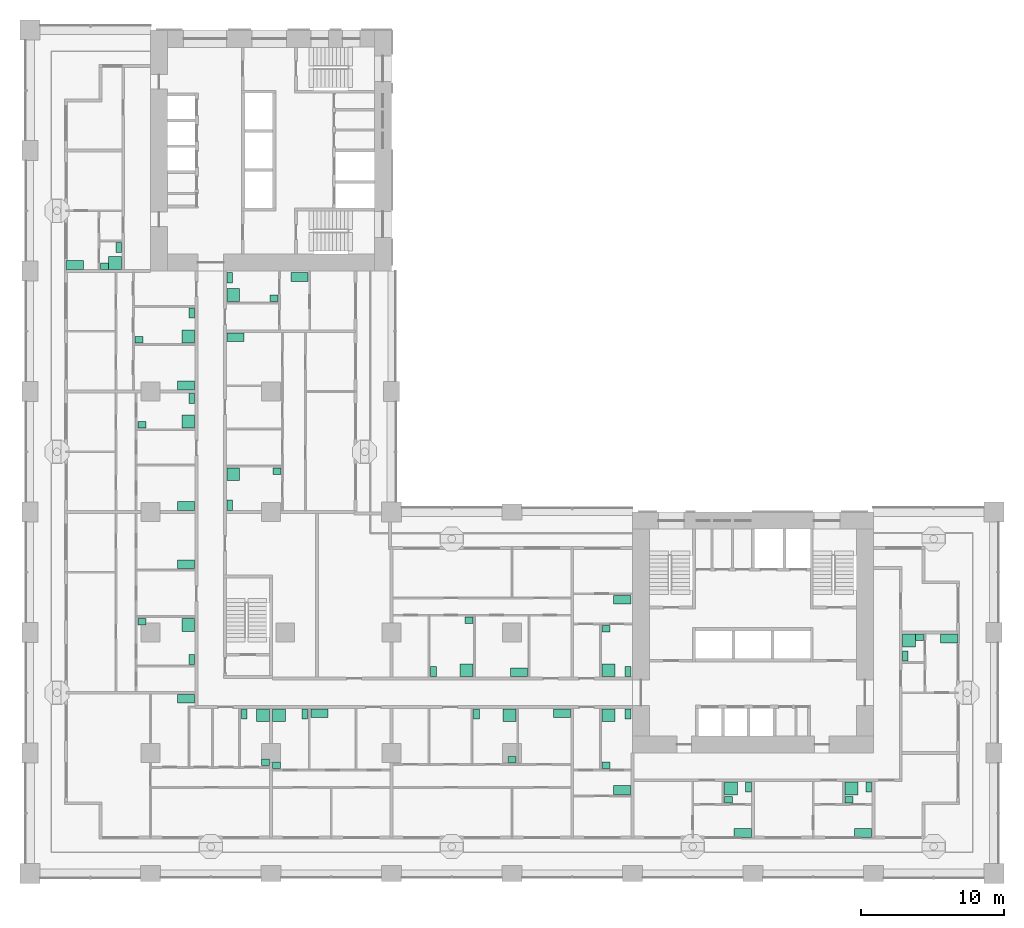
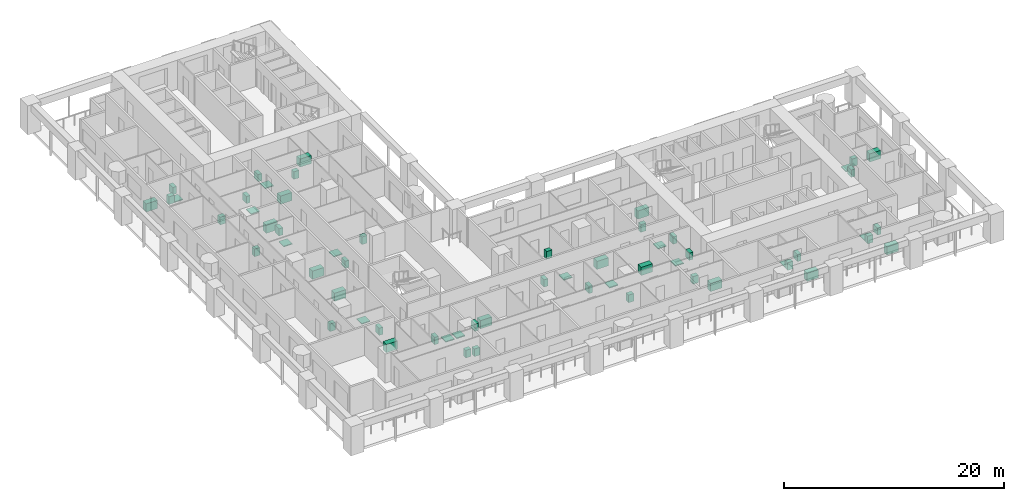
# One storey, part 20 of 22: 60 sanitary terminals.
"""IFC4 building model written with IfcOpenShell, lengths in metres."""

from ifc_helpers import new_model, si_unit, direction, frame, origin, origin_2d, place, context, subcontext, project, spatial, rectangle, extrude, material, element, save


model = new_model("IFC4")

# Units and contexts
model_context = context("Model", 3, precision=1e-05, world=origin(), true_north=direction((0.0, 1.0)))
body_context = subcontext(model_context, "Body", "Model", "MODEL_VIEW")
ifc_project = project(units=[si_unit("LENGTHUNIT", "METRE"), si_unit("AREAUNIT", "SQUARE_METRE"), si_unit("VOLUMEUNIT", "CUBIC_METRE"), si_unit("PLANEANGLEUNIT", "RADIAN"), si_unit("MASSUNIT", "GRAM", prefix="KILO")], contexts=[model_context])

# Site, building, storey
site_placement = place(None, origin())
site = spatial("IfcSite", under=ifc_project, at=site_placement, CompositionType="ELEMENT")
building_placement = place(site_placement, origin())
building = spatial("IfcBuilding", under=site, at=building_placement, Name="Vermilion Gate Residences", CompositionType="ELEMENT")
storey_placement = place(building_placement, frame((0.0, 0.0, 63.699951171875)))
storey = spatial("IfcBuildingStorey", under=building, at=storey_placement, Name="L15", CompositionType="ELEMENT", Elevation=63.699951171875)

# Sanitary terminals
ifc_material_1 = material(Name="Stainless steel", Category="steel")
sanitary_terminal_1_placement = place(storey_placement, frame((10.8798828125, 12.179931640625, 0.0), z_axis=(0.0, 0.0, 1.0), x_axis=(1.0, 0.0, 0.0)))
element("IfcSanitaryTerminal", 1, at=sanitary_terminal_1_placement, inside=storey, material=ifc_material_1, Name="Kitchen sink", PredefinedType="SINK", context=body_context, shape_type="SweptSolid", body=[
    extrude(rectangle(XDim=1.199951171875, YDim=0.60009765625, at=origin_2d()), origin(), (0.0, 0.0, 1.0), 0.89990234375),
])
ifc_material_2 = material(Name="Vitreous china")
sanitary_terminal_2_placement = place(storey_placement, frame((16.22998046875, 11.030029296875, 0.0), z_axis=(0.0, 0.0, 1.0), x_axis=(1.0, 0.0, 0.0)))
element("IfcSanitaryTerminal", 2, at=sanitary_terminal_2_placement, inside=storey, material=ifc_material_2, Name="Shower tray", PredefinedType="SHOWER", context=body_context, shape_type="SweptSolid", body=[
    extrude(rectangle(XDim=0.89990234375, YDim=0.89990234375, at=origin_2d()), origin(), (0.0, 0.0, 1.0), 0.10009765625),
])
sanitary_terminal_3_placement = place(storey_placement, frame((14.930908203125, 11.1298828125, 0.0), z_axis=(0.0, 0.0, 1.0), x_axis=(1.0, 0.0, 0.0)))
element("IfcSanitaryTerminal", 3, at=sanitary_terminal_3_placement, inside=storey, material=ifc_material_2, Name="Toilet", PredefinedType="TOILETPAN", context=body_context, shape_type="SweptSolid", body=[
    extrude(rectangle(XDim=0.39990234375, YDim=0.699951171875, at=origin_2d()), origin(), (0.0, 0.0, 1.0), 0.800048828125),
])
sanitary_terminal_4_placement = place(storey_placement, frame((16.405029296875, 7.7451171875, 0.0), z_axis=(0.0, 0.0, 1.0), x_axis=(1.0, 0.0, 0.0)))
element("IfcSanitaryTerminal", 4, at=sanitary_terminal_4_placement, inside=storey, material=ifc_material_2, Name="Wash basin", PredefinedType="WASHHANDBASIN", context=body_context, shape_type="SweptSolid", body=[
    extrude(rectangle(XDim=0.550048828125, YDim=0.449951171875, at=origin_2d()), origin(), (0.0, 0.0, 1.0), 0.85009765625),
])
sanitary_terminal_5_placement = place(storey_placement, frame((17.3701171875, 11.030029296875, 0.0), z_axis=(0.0, 0.0, 1.0), x_axis=(1.0, 0.0, 0.0)))
element("IfcSanitaryTerminal", 5, at=sanitary_terminal_5_placement, inside=storey, material=ifc_material_2, Name="Shower tray", PredefinedType="SHOWER", context=body_context, shape_type="SweptSolid", body=[
    extrude(rectangle(XDim=0.89990234375, YDim=0.89990234375, at=origin_2d()), origin(), (0.0, 0.0, 1.0), 0.10009765625),
])
sanitary_terminal_6_placement = place(storey_placement, frame((19.14697265625, 11.1298828125, 0.0), z_axis=(0.0, 0.0, 1.0), x_axis=(1.0, 0.0, 0.0)))
element("IfcSanitaryTerminal", 6, at=sanitary_terminal_6_placement, inside=storey, material=ifc_material_2, Name="Toilet", PredefinedType="TOILETPAN", context=body_context, shape_type="SweptSolid", body=[
    extrude(rectangle(XDim=0.39990234375, YDim=0.699951171875, at=origin_2d()), origin(), (0.0, 0.0, 1.0), 0.800048828125),
])
sanitary_terminal_7_placement = place(storey_placement, frame((17.195068359375, 7.544921875, 0.0), z_axis=(0.0, 0.0, 1.0), x_axis=(1.0, 0.0, 0.0)))
element("IfcSanitaryTerminal", 7, at=sanitary_terminal_7_placement, inside=storey, material=ifc_material_2, Name="Wash basin", PredefinedType="WASHHANDBASIN", context=body_context, shape_type="SweptSolid", body=[
    extrude(rectangle(XDim=0.550048828125, YDim=0.449951171875, at=origin_2d()), origin(), (0.0, 0.0, 1.0), 0.85009765625),
])
sanitary_terminal_8_placement = place(storey_placement, frame((20.18701171875, 11.179931640625, 0.0), z_axis=(0.0, 0.0, 1.0), x_axis=(1.0, 0.0, 0.0)))
element("IfcSanitaryTerminal", 8, at=sanitary_terminal_8_placement, inside=storey, material=ifc_material_1, Name="Kitchen sink", PredefinedType="SINK", context=body_context, shape_type="SweptSolid", body=[
    extrude(rectangle(XDim=1.199951171875, YDim=0.60009765625, at=origin_2d()), origin(), (0.0, 0.0, 1.0), 0.89990234375),
])
sanitary_terminal_9_placement = place(storey_placement, frame((33.429931640625, 11.030029296875, 0.0), z_axis=(0.0, 0.0, 1.0), x_axis=(1.0, 0.0, 0.0)))
element("IfcSanitaryTerminal", 9, at=sanitary_terminal_9_placement, inside=storey, material=ifc_material_2, Name="Shower tray", PredefinedType="SHOWER", context=body_context, shape_type="SweptSolid", body=[
    extrude(rectangle(XDim=0.89990234375, YDim=0.89990234375, at=origin_2d()), origin(), (0.0, 0.0, 1.0), 0.10009765625),
])
sanitary_terminal_10_placement = place(storey_placement, frame((31.1201171875, 11.1298828125, 0.0), z_axis=(0.0, 0.0, 1.0), x_axis=(1.0, 0.0, 0.0)))
element("IfcSanitaryTerminal", 10, at=sanitary_terminal_10_placement, inside=storey, material=ifc_material_2, Name="Toilet", PredefinedType="TOILETPAN", context=body_context, shape_type="SweptSolid", body=[
    extrude(rectangle(XDim=0.39990234375, YDim=0.699951171875, at=origin_2d()), origin(), (0.0, 0.0, 1.0), 0.800048828125),
])
sanitary_terminal_11_placement = place(storey_placement, frame((33.60498046875, 7.945068359375, 0.0), z_axis=(0.0, 0.0, 1.0), x_axis=(1.0, 0.0, 0.0)))
element("IfcSanitaryTerminal", 11, at=sanitary_terminal_11_placement, inside=storey, material=ifc_material_2, Name="Wash basin", PredefinedType="WASHHANDBASIN", context=body_context, shape_type="SweptSolid", body=[
    extrude(rectangle(XDim=0.550048828125, YDim=0.449951171875, at=origin_2d()), origin(), (0.0, 0.0, 1.0), 0.85009765625),
])
for number, where, z_axis, x_axis, name in (
    (12, (37.080078125, 11.179931640625, 0.0), (0.0, 0.0, 1.0), (1.0, 0.0, 0.0), "Kitchen sink"),
    (13, (41.280029296875, 5.820068359375, 0.0), (0.0, 0.0, 1.0), (1.0, 0.0, 0.0), "Kitchen sink"),
):
    element("IfcSanitaryTerminal", number, at=place(storey_placement, frame(where, z_axis=z_axis, x_axis=x_axis)), inside=storey, material=ifc_material_1, Name=name, PredefinedType="SINK", context=body_context, shape_type="SweptSolid", body=[
        extrude(rectangle(XDim=1.199951171875, YDim=0.60009765625, at=origin_2d()), origin(), (0.0, 0.0, 1.0), 0.89990234375),
    ])
sanitary_terminal_12_placement = place(storey_placement, frame((40.330078125, 11.030029296875, 0.0), z_axis=(0.0, 0.0, 1.0), x_axis=(1.0, 0.0, 0.0)))
element("IfcSanitaryTerminal", 14, at=sanitary_terminal_12_placement, inside=storey, material=ifc_material_2, Name="Shower tray", PredefinedType="SHOWER", context=body_context, shape_type="SweptSolid", body=[
    extrude(rectangle(XDim=0.89990234375, YDim=0.89990234375, at=origin_2d()), origin(), (0.0, 0.0, 1.0), 0.10009765625),
])
sanitary_terminal_13_placement = place(storey_placement, frame((41.679931640625, 11.1298828125, 0.0), z_axis=(0.0, 0.0, 1.0), x_axis=(1.0, 0.0, 0.0)))
element("IfcSanitaryTerminal", 15, at=sanitary_terminal_13_placement, inside=storey, material=ifc_material_2, Name="Toilet", PredefinedType="TOILETPAN", context=body_context, shape_type="SweptSolid", body=[
    extrude(rectangle(XDim=0.39990234375, YDim=0.699951171875, at=origin_2d()), origin(), (0.0, 0.0, 1.0), 0.800048828125),
])
sanitary_terminal_14_placement = place(storey_placement, frame((40.155029296875, 7.544921875, 0.0), z_axis=(0.0, 0.0, 1.0), x_axis=(1.0, 0.0, 0.0)))
element("IfcSanitaryTerminal", 16, at=sanitary_terminal_14_placement, inside=storey, material=ifc_material_2, Name="Wash basin", PredefinedType="WASHHANDBASIN", context=body_context, shape_type="SweptSolid", body=[
    extrude(rectangle(XDim=0.550048828125, YDim=0.449951171875, at=origin_2d()), origin(), (0.0, 0.0, 1.0), 0.85009765625),
])
sanitary_terminal_15_placement = place(storey_placement, frame((30.429931640625, 14.169921875, 0.0), z_axis=(0.0, 0.0, 1.0), x_axis=(1.0, 0.0, 0.0)))
element("IfcSanitaryTerminal", 17, at=sanitary_terminal_15_placement, inside=storey, material=ifc_material_2, Name="Shower tray", PredefinedType="SHOWER", context=body_context, shape_type="SweptSolid", body=[
    extrude(rectangle(XDim=0.89990234375, YDim=0.89990234375, at=origin_2d()), origin(), (0.0, 0.0, 1.0), 0.10009765625),
])
sanitary_terminal_16_placement = place(storey_placement, frame((28.1201171875, 14.070068359375, 0.0), z_axis=(0.0, 0.0, 1.0), x_axis=(1.0, 0.0, 0.0)))
element("IfcSanitaryTerminal", 18, at=sanitary_terminal_16_placement, inside=storey, material=ifc_material_2, Name="Toilet", PredefinedType="TOILETPAN", context=body_context, shape_type="SweptSolid", body=[
    extrude(rectangle(XDim=0.39990234375, YDim=0.699951171875, at=origin_2d()), origin(), (0.0, 0.0, 1.0), 0.800048828125),
])
sanitary_terminal_17_placement = place(storey_placement, frame((30.60498046875, 17.655029296875, 0.0), z_axis=(0.0, 0.0, 1.0), x_axis=(1.0, 0.0, 0.0)))
element("IfcSanitaryTerminal", 19, at=sanitary_terminal_17_placement, inside=storey, material=ifc_material_2, Name="Wash basin", PredefinedType="WASHHANDBASIN", context=body_context, shape_type="SweptSolid", body=[
    extrude(rectangle(XDim=0.550048828125, YDim=0.449951171875, at=origin_2d()), origin(), (0.0, 0.0, 1.0), 0.85009765625),
])
for number, where, z_axis, x_axis, name in (
    (20, (34.080078125, 14.02001953125, 0.0), (0.0, 0.0, 1.0), (1.0, 0.0, 0.0), "Kitchen sink"),
    (21, (41.280029296875, 19.080078125, 0.0), (0.0, 0.0, 1.0), (1.0, 0.0, 0.0), "Kitchen sink"),
):
    element("IfcSanitaryTerminal", number, at=place(storey_placement, frame(where, z_axis=z_axis, x_axis=x_axis)), inside=storey, material=ifc_material_1, Name=name, PredefinedType="SINK", context=body_context, shape_type="SweptSolid", body=[
        extrude(rectangle(XDim=1.199951171875, YDim=0.60009765625, at=origin_2d()), origin(), (0.0, 0.0, 1.0), 0.89990234375),
    ])
sanitary_terminal_18_placement = place(storey_placement, frame((40.330078125, 14.169921875, 0.0), z_axis=(0.0, 0.0, 1.0), x_axis=(1.0, 0.0, 0.0)))
element("IfcSanitaryTerminal", 22, at=sanitary_terminal_18_placement, inside=storey, material=ifc_material_2, Name="Shower tray", PredefinedType="SHOWER", context=body_context, shape_type="SweptSolid", body=[
    extrude(rectangle(XDim=0.89990234375, YDim=0.89990234375, at=origin_2d()), origin(), (0.0, 0.0, 1.0), 0.10009765625),
])
sanitary_terminal_19_placement = place(storey_placement, frame((41.679931640625, 14.070068359375, 0.0), z_axis=(0.0, 0.0, 1.0), x_axis=(1.0, 0.0, 0.0)))
element("IfcSanitaryTerminal", 23, at=sanitary_terminal_19_placement, inside=storey, material=ifc_material_2, Name="Toilet", PredefinedType="TOILETPAN", context=body_context, shape_type="SweptSolid", body=[
    extrude(rectangle(XDim=0.39990234375, YDim=0.699951171875, at=origin_2d()), origin(), (0.0, 0.0, 1.0), 0.800048828125),
])
sanitary_terminal_20_placement = place(storey_placement, frame((40.155029296875, 17.054931640625, 0.0), z_axis=(0.0, 0.0, 1.0), x_axis=(1.0, 0.0, 0.0)))
element("IfcSanitaryTerminal", 24, at=sanitary_terminal_20_placement, inside=storey, material=ifc_material_2, Name="Wash basin", PredefinedType="WASHHANDBASIN", context=body_context, shape_type="SweptSolid", body=[
    extrude(rectangle(XDim=0.550048828125, YDim=0.449951171875, at=origin_2d()), origin(), (0.0, 0.0, 1.0), 0.85009765625),
])
sanitary_terminal_21_placement = place(storey_placement, frame((11.030029296875, 17.330078125, 0.0), z_axis=(0.0, 0.0, 1.0), x_axis=(1.0, 0.0, 0.0)))
element("IfcSanitaryTerminal", 25, at=sanitary_terminal_21_placement, inside=storey, material=ifc_material_2, Name="Shower tray", PredefinedType="SHOWER", context=body_context, shape_type="SweptSolid", body=[
    extrude(rectangle(XDim=0.89990234375, YDim=0.89990234375, at=origin_2d()), origin(), (0.0, 0.0, 1.0), 0.10009765625),
])
sanitary_terminal_22_placement = place(storey_placement, frame((11.280029296875, 14.919921875, 0.0), z_axis=(0.0, 0.0, 1.0), x_axis=(1.0, 0.0, 0.0)))
element("IfcSanitaryTerminal", 26, at=sanitary_terminal_22_placement, inside=storey, material=ifc_material_2, Name="Toilet", PredefinedType="TOILETPAN", context=body_context, shape_type="SweptSolid", body=[
    extrude(rectangle(XDim=0.39990234375, YDim=0.699951171875, at=origin_2d()), origin(), (0.0, 0.0, 1.0), 0.800048828125),
])
sanitary_terminal_23_placement = place(storey_placement, frame((7.794921875, 17.554931640625, 0.0), z_axis=(0.0, 0.0, 1.0), x_axis=(1.0, 0.0, 0.0)))
element("IfcSanitaryTerminal", 27, at=sanitary_terminal_23_placement, inside=storey, material=ifc_material_2, Name="Wash basin", PredefinedType="WASHHANDBASIN", context=body_context, shape_type="SweptSolid", body=[
    extrude(rectangle(XDim=0.550048828125, YDim=0.449951171875, at=origin_2d()), origin(), (0.0, 0.0, 1.0), 0.85009765625),
])
for number, where, z_axis, x_axis, name in (
    (28, (10.8798828125, 21.570068359375, 0.0), (0.0, 0.0, 1.0), (1.0, 0.0, 0.0), "Kitchen sink"),
    (29, (10.8798828125, 25.6201171875, 0.0), (0.0, 0.0, 1.0), (1.0, 0.0, 0.0), "Kitchen sink"),
):
    element("IfcSanitaryTerminal", number, at=place(storey_placement, frame(where, z_axis=z_axis, x_axis=x_axis)), inside=storey, material=ifc_material_1, Name=name, PredefinedType="SINK", context=body_context, shape_type="SweptSolid", body=[
        extrude(rectangle(XDim=1.199951171875, YDim=0.60009765625, at=origin_2d()), origin(), (0.0, 0.0, 1.0), 0.89990234375),
    ])
sanitary_terminal_24_placement = place(storey_placement, frame((11.030029296875, 31.5029296875, 0.0), z_axis=(0.0, 0.0, 1.0), x_axis=(1.0, 0.0, 0.0)))
element("IfcSanitaryTerminal", 30, at=sanitary_terminal_24_placement, inside=storey, material=ifc_material_2, Name="Shower tray", PredefinedType="SHOWER", context=body_context, shape_type="SweptSolid", body=[
    extrude(rectangle(XDim=0.89990234375, YDim=0.89990234375, at=origin_2d()), origin(), (0.0, 0.0, 1.0), 0.10009765625),
])
sanitary_terminal_25_placement = place(storey_placement, frame((11.280029296875, 33.1298828125, 0.0), z_axis=(0.0, 0.0, 1.0), x_axis=(1.0, 0.0, 0.0)))
element("IfcSanitaryTerminal", 31, at=sanitary_terminal_25_placement, inside=storey, material=ifc_material_2, Name="Toilet", PredefinedType="TOILETPAN", context=body_context, shape_type="SweptSolid", body=[
    extrude(rectangle(XDim=0.39990234375, YDim=0.699951171875, at=origin_2d()), origin(), (0.0, 0.0, 1.0), 0.800048828125),
])
sanitary_terminal_26_placement = place(storey_placement, frame((7.794921875, 31.278076171875, 0.0), z_axis=(0.0, 0.0, 1.0), x_axis=(1.0, 0.0, 0.0)))
element("IfcSanitaryTerminal", 32, at=sanitary_terminal_26_placement, inside=storey, material=ifc_material_2, Name="Wash basin", PredefinedType="WASHHANDBASIN", context=body_context, shape_type="SweptSolid", body=[
    extrude(rectangle(XDim=0.550048828125, YDim=0.449951171875, at=origin_2d()), origin(), (0.0, 0.0, 1.0), 0.85009765625),
])
sanitary_terminal_27_placement = place(storey_placement, frame((10.8798828125, 34.02001953125, 0.0), z_axis=(0.0, 0.0, 1.0), x_axis=(1.0, 0.0, 0.0)))
element("IfcSanitaryTerminal", 33, at=sanitary_terminal_27_placement, inside=storey, material=ifc_material_1, Name="Kitchen sink", PredefinedType="SINK", context=body_context, shape_type="SweptSolid", body=[
    extrude(rectangle(XDim=1.199951171875, YDim=0.60009765625, at=origin_2d()), origin(), (0.0, 0.0, 1.0), 0.89990234375),
])
sanitary_terminal_28_placement = place(storey_placement, frame((11.030029296875, 37.43701171875, 0.0), z_axis=(0.0, 0.0, 1.0), x_axis=(1.0, 0.0, 0.0)))
element("IfcSanitaryTerminal", 34, at=sanitary_terminal_28_placement, inside=storey, material=ifc_material_2, Name="Shower tray", PredefinedType="SHOWER", context=body_context, shape_type="SweptSolid", body=[
    extrude(rectangle(XDim=0.89990234375, YDim=0.89990234375, at=origin_2d()), origin(), (0.0, 0.0, 1.0), 0.10009765625),
])
sanitary_terminal_29_placement = place(storey_placement, frame((11.280029296875, 39.06298828125, 0.0), z_axis=(0.0, 0.0, 1.0), x_axis=(1.0, 0.0, 0.0)))
element("IfcSanitaryTerminal", 35, at=sanitary_terminal_29_placement, inside=storey, material=ifc_material_2, Name="Toilet", PredefinedType="TOILETPAN", context=body_context, shape_type="SweptSolid", body=[
    extrude(rectangle(XDim=0.39990234375, YDim=0.699951171875, at=origin_2d()), origin(), (0.0, 0.0, 1.0), 0.800048828125),
])
sanitary_terminal_30_placement = place(storey_placement, frame((7.594970703125, 37.2119140625, 0.0), z_axis=(0.0, 0.0, 1.0), x_axis=(1.0, 0.0, 0.0)))
element("IfcSanitaryTerminal", 36, at=sanitary_terminal_30_placement, inside=storey, material=ifc_material_2, Name="Wash basin", PredefinedType="WASHHANDBASIN", context=body_context, shape_type="SweptSolid", body=[
    extrude(rectangle(XDim=0.550048828125, YDim=0.449951171875, at=origin_2d()), origin(), (0.0, 0.0, 1.0), 0.85009765625),
])
sanitary_terminal_31_placement = place(storey_placement, frame((14.169921875, 27.830078125, 0.0), z_axis=(0.0, 0.0, 1.0), x_axis=(1.0, 0.0, 0.0)))
element("IfcSanitaryTerminal", 37, at=sanitary_terminal_31_placement, inside=storey, material=ifc_material_2, Name="Shower tray", PredefinedType="SHOWER", context=body_context, shape_type="SweptSolid", body=[
    extrude(rectangle(XDim=0.89990234375, YDim=0.89990234375, at=origin_2d()), origin(), (0.0, 0.0, 1.0), 0.10009765625),
])
sanitary_terminal_32_placement = place(storey_placement, frame((13.919921875, 25.669921875, 0.0), z_axis=(0.0, 0.0, 1.0), x_axis=(1.0, 0.0, 0.0)))
element("IfcSanitaryTerminal", 38, at=sanitary_terminal_32_placement, inside=storey, material=ifc_material_2, Name="Toilet", PredefinedType="TOILETPAN", context=body_context, shape_type="SweptSolid", body=[
    extrude(rectangle(XDim=0.39990234375, YDim=0.699951171875, at=origin_2d()), origin(), (0.0, 0.0, 1.0), 0.800048828125),
])
sanitary_terminal_33_placement = place(storey_placement, frame((17.205078125, 28.054931640625, 0.0), z_axis=(0.0, 0.0, 1.0), x_axis=(1.0, 0.0, 0.0)))
element("IfcSanitaryTerminal", 39, at=sanitary_terminal_33_placement, inside=storey, material=ifc_material_2, Name="Wash basin", PredefinedType="WASHHANDBASIN", context=body_context, shape_type="SweptSolid", body=[
    extrude(rectangle(XDim=0.550048828125, YDim=0.449951171875, at=origin_2d()), origin(), (0.0, 0.0, 1.0), 0.85009765625),
])
for number, where, z_axis, x_axis, name in (
    (40, (14.320068359375, 37.3798828125, 0.0), (0.0, 0.0, 1.0), (1.0, 0.0, 0.0), "Kitchen sink"),
    (41, (18.780029296875, 41.580078125, 0.0), (0.0, 0.0, 1.0), (1.0, 0.0, 0.0), "Kitchen sink"),
):
    element("IfcSanitaryTerminal", number, at=place(storey_placement, frame(where, z_axis=z_axis, x_axis=x_axis)), inside=storey, material=ifc_material_1, Name=name, PredefinedType="SINK", context=body_context, shape_type="SweptSolid", body=[
        extrude(rectangle(XDim=1.199951171875, YDim=0.60009765625, at=origin_2d()), origin(), (0.0, 0.0, 1.0), 0.89990234375),
    ])
sanitary_terminal_34_placement = place(storey_placement, frame((14.169921875, 40.330078125, 0.0), z_axis=(0.0, 0.0, 1.0), x_axis=(1.0, 0.0, 0.0)))
element("IfcSanitaryTerminal", 42, at=sanitary_terminal_34_placement, inside=storey, material=ifc_material_2, Name="Shower tray", PredefinedType="SHOWER", context=body_context, shape_type="SweptSolid", body=[
    extrude(rectangle(XDim=0.89990234375, YDim=0.89990234375, at=origin_2d()), origin(), (0.0, 0.0, 1.0), 0.10009765625),
])
sanitary_terminal_35_placement = place(storey_placement, frame((13.919921875, 41.530029296875, 0.0), z_axis=(0.0, 0.0, 1.0), x_axis=(1.0, 0.0, 0.0)))
element("IfcSanitaryTerminal", 43, at=sanitary_terminal_35_placement, inside=storey, material=ifc_material_2, Name="Toilet", PredefinedType="TOILETPAN", context=body_context, shape_type="SweptSolid", body=[
    extrude(rectangle(XDim=0.39990234375, YDim=0.699951171875, at=origin_2d()), origin(), (0.0, 0.0, 1.0), 0.800048828125),
])
sanitary_terminal_36_placement = place(storey_placement, frame((17.0048828125, 40.10498046875, 0.0), z_axis=(0.0, 0.0, 1.0), x_axis=(1.0, 0.0, 0.0)))
element("IfcSanitaryTerminal", 44, at=sanitary_terminal_36_placement, inside=storey, material=ifc_material_2, Name="Wash basin", PredefinedType="WASHHANDBASIN", context=body_context, shape_type="SweptSolid", body=[
    extrude(rectangle(XDim=0.550048828125, YDim=0.449951171875, at=origin_2d()), origin(), (0.0, 0.0, 1.0), 0.85009765625),
])
sanitary_terminal_37_placement = place(storey_placement, frame((49.679931640625, 2.820068359375, 0.0), z_axis=(0.0, 0.0, 1.0), x_axis=(1.0, 0.0, 0.0)))
element("IfcSanitaryTerminal", 45, at=sanitary_terminal_37_placement, inside=storey, material=ifc_material_1, Name="Kitchen sink", PredefinedType="SINK", context=body_context, shape_type="SweptSolid", body=[
    extrude(rectangle(XDim=1.199951171875, YDim=0.60009765625, at=origin_2d()), origin(), (0.0, 0.0, 1.0), 0.89990234375),
])
sanitary_terminal_38_placement = place(storey_placement, frame((48.8701171875, 5.929931640625, 0.0), z_axis=(0.0, 0.0, 1.0), x_axis=(1.0, 0.0, 0.0)))
element("IfcSanitaryTerminal", 46, at=sanitary_terminal_38_placement, inside=storey, material=ifc_material_2, Name="Shower tray", PredefinedType="SHOWER", context=body_context, shape_type="SweptSolid", body=[
    extrude(rectangle(XDim=0.89990234375, YDim=0.89990234375, at=origin_2d()), origin(), (0.0, 0.0, 1.0), 0.10009765625),
])
sanitary_terminal_39_placement = place(storey_placement, frame((50.080078125, 6.030029296875, 0.0), z_axis=(0.0, 0.0, 1.0), x_axis=(1.0, 0.0, 0.0)))
element("IfcSanitaryTerminal", 47, at=sanitary_terminal_39_placement, inside=storey, material=ifc_material_2, Name="Toilet", PredefinedType="TOILETPAN", context=body_context, shape_type="SweptSolid", body=[
    extrude(rectangle(XDim=0.39990234375, YDim=0.699951171875, at=origin_2d()), origin(), (0.0, 0.0, 1.0), 0.800048828125),
])
sanitary_terminal_40_placement = place(storey_placement, frame((48.695068359375, 5.14501953125, 0.0), z_axis=(0.0, 0.0, 1.0), x_axis=(1.0, 0.0, 0.0)))
element("IfcSanitaryTerminal", 48, at=sanitary_terminal_40_placement, inside=storey, material=ifc_material_2, Name="Wash basin", PredefinedType="WASHHANDBASIN", context=body_context, shape_type="SweptSolid", body=[
    extrude(rectangle(XDim=0.550048828125, YDim=0.449951171875, at=origin_2d()), origin(), (0.0, 0.0, 1.0), 0.85009765625),
])
sanitary_terminal_41_placement = place(storey_placement, frame((58.080078125, 2.820068359375, 0.0), z_axis=(0.0, 0.0, 1.0), x_axis=(1.0, 0.0, 0.0)))
element("IfcSanitaryTerminal", 49, at=sanitary_terminal_41_placement, inside=storey, material=ifc_material_1, Name="Kitchen sink", PredefinedType="SINK", context=body_context, shape_type="SweptSolid", body=[
    extrude(rectangle(XDim=1.199951171875, YDim=0.60009765625, at=origin_2d()), origin(), (0.0, 0.0, 1.0), 0.89990234375),
])
sanitary_terminal_42_placement = place(storey_placement, frame((57.27001953125, 5.929931640625, 0.0), z_axis=(0.0, 0.0, 1.0), x_axis=(1.0, 0.0, 0.0)))
element("IfcSanitaryTerminal", 50, at=sanitary_terminal_42_placement, inside=storey, material=ifc_material_2, Name="Shower tray", PredefinedType="SHOWER", context=body_context, shape_type="SweptSolid", body=[
    extrude(rectangle(XDim=0.89990234375, YDim=0.89990234375, at=origin_2d()), origin(), (0.0, 0.0, 1.0), 0.10009765625),
])
sanitary_terminal_43_placement = place(storey_placement, frame((58.47998046875, 6.030029296875, 0.0), z_axis=(0.0, 0.0, 1.0), x_axis=(1.0, 0.0, 0.0)))
element("IfcSanitaryTerminal", 51, at=sanitary_terminal_43_placement, inside=storey, material=ifc_material_2, Name="Toilet", PredefinedType="TOILETPAN", context=body_context, shape_type="SweptSolid", body=[
    extrude(rectangle(XDim=0.39990234375, YDim=0.699951171875, at=origin_2d()), origin(), (0.0, 0.0, 1.0), 0.800048828125),
])
sanitary_terminal_44_placement = place(storey_placement, frame((57.094970703125, 5.14501953125, 0.0), z_axis=(0.0, 0.0, 1.0), x_axis=(1.0, 0.0, 0.0)))
element("IfcSanitaryTerminal", 52, at=sanitary_terminal_44_placement, inside=storey, material=ifc_material_2, Name="Wash basin", PredefinedType="WASHHANDBASIN", context=body_context, shape_type="SweptSolid", body=[
    extrude(rectangle(XDim=0.550048828125, YDim=0.449951171875, at=origin_2d()), origin(), (0.0, 0.0, 1.0), 0.85009765625),
])
sanitary_terminal_45_placement = place(storey_placement, frame((64.080078125, 16.3798828125, 0.0), z_axis=(0.0, 0.0, 1.0), x_axis=(1.0, 0.0, 0.0)))
element("IfcSanitaryTerminal", 53, at=sanitary_terminal_45_placement, inside=storey, material=ifc_material_1, Name="Kitchen sink", PredefinedType="SINK", context=body_context, shape_type="SweptSolid", body=[
    extrude(rectangle(XDim=1.199951171875, YDim=0.60009765625, at=origin_2d()), origin(), (0.0, 0.0, 1.0), 0.89990234375),
])
sanitary_terminal_46_placement = place(storey_placement, frame((61.27001953125, 16.22998046875, 0.0), z_axis=(0.0, 0.0, 1.0), x_axis=(1.0, 0.0, 0.0)))
element("IfcSanitaryTerminal", 54, at=sanitary_terminal_46_placement, inside=storey, material=ifc_material_2, Name="Shower tray", PredefinedType="SHOWER", context=body_context, shape_type="SweptSolid", body=[
    extrude(rectangle(XDim=0.89990234375, YDim=0.89990234375, at=origin_2d()), origin(), (0.0, 0.0, 1.0), 0.10009765625),
])
sanitary_terminal_47_placement = place(storey_placement, frame((61.02001953125, 15.169921875, 0.0), z_axis=(0.0, 0.0, 1.0), x_axis=(1.0, 0.0, 0.0)))
element("IfcSanitaryTerminal", 55, at=sanitary_terminal_47_placement, inside=storey, material=ifc_material_2, Name="Toilet", PredefinedType="TOILETPAN", context=body_context, shape_type="SweptSolid", body=[
    extrude(rectangle(XDim=0.39990234375, YDim=0.699951171875, at=origin_2d()), origin(), (0.0, 0.0, 1.0), 0.800048828125),
])
sanitary_terminal_48_placement = place(storey_placement, frame((62.0048828125, 16.455078125, 0.0), z_axis=(0.0, 0.0, 1.0), x_axis=(1.0, 0.0, 0.0)))
element("IfcSanitaryTerminal", 56, at=sanitary_terminal_48_placement, inside=storey, material=ifc_material_2, Name="Wash basin", PredefinedType="WASHHANDBASIN", context=body_context, shape_type="SweptSolid", body=[
    extrude(rectangle(XDim=0.550048828125, YDim=0.449951171875, at=origin_2d()), origin(), (0.0, 0.0, 1.0), 0.85009765625),
])
sanitary_terminal_49_placement = place(storey_placement, frame((3.1201171875, 42.419921875, 0.0), z_axis=(0.0, 0.0, 1.0), x_axis=(1.0, 0.0, 0.0)))
element("IfcSanitaryTerminal", 57, at=sanitary_terminal_49_placement, inside=storey, material=ifc_material_1, Name="Kitchen sink", PredefinedType="SINK", context=body_context, shape_type="SweptSolid", body=[
    extrude(rectangle(XDim=1.199951171875, YDim=0.60009765625, at=origin_2d()), origin(), (0.0, 0.0, 1.0), 0.89990234375),
])
sanitary_terminal_50_placement = place(storey_placement, frame((5.929931640625, 42.570068359375, 0.0), z_axis=(0.0, 0.0, 1.0), x_axis=(1.0, 0.0, 0.0)))
element("IfcSanitaryTerminal", 58, at=sanitary_terminal_50_placement, inside=storey, material=ifc_material_2, Name="Shower tray", PredefinedType="SHOWER", context=body_context, shape_type="SweptSolid", body=[
    extrude(rectangle(XDim=0.89990234375, YDim=0.89990234375, at=origin_2d()), origin(), (0.0, 0.0, 1.0), 0.10009765625),
])
sanitary_terminal_51_placement = place(storey_placement, frame((6.179931640625, 43.6298828125, 0.0), z_axis=(0.0, 0.0, 1.0), x_axis=(1.0, 0.0, 0.0)))
element("IfcSanitaryTerminal", 59, at=sanitary_terminal_51_placement, inside=storey, material=ifc_material_2, Name="Toilet", PredefinedType="TOILETPAN", context=body_context, shape_type="SweptSolid", body=[
    extrude(rectangle(XDim=0.39990234375, YDim=0.699951171875, at=origin_2d()), origin(), (0.0, 0.0, 1.0), 0.800048828125),
])
sanitary_terminal_52_placement = place(storey_placement, frame((5.195068359375, 42.344970703125, 0.0), z_axis=(0.0, 0.0, 1.0), x_axis=(1.0, 0.0, 0.0)))
element("IfcSanitaryTerminal", 60, at=sanitary_terminal_52_placement, inside=storey, material=ifc_material_2, Name="Wash basin", PredefinedType="WASHHANDBASIN", context=body_context, shape_type="SweptSolid", body=[
    extrude(rectangle(XDim=0.550048828125, YDim=0.449951171875, at=origin_2d()), origin(), (0.0, 0.0, 1.0), 0.85009765625),
])

save(model, "model.ifc")
